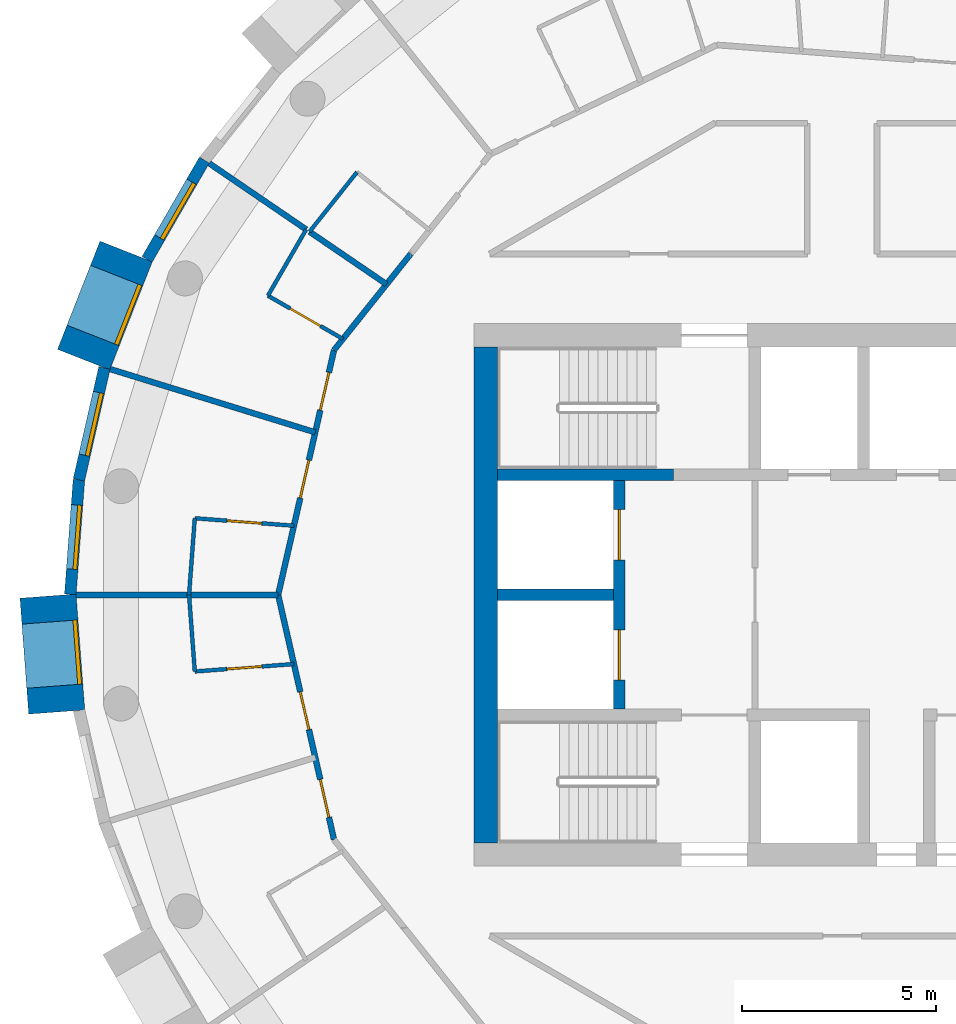
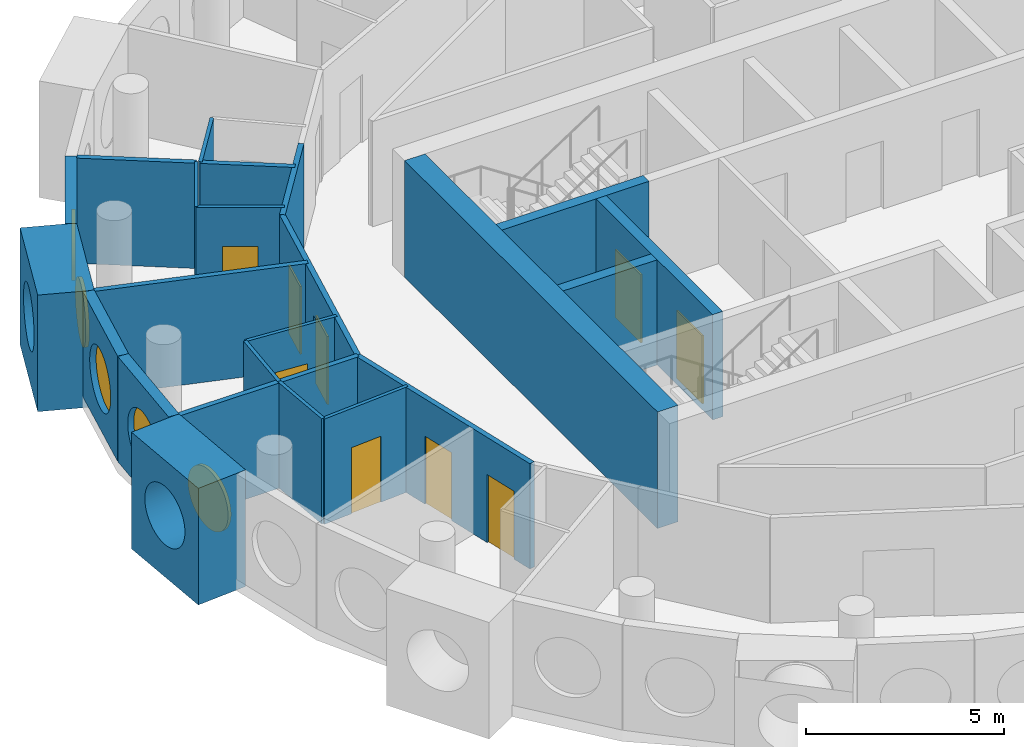
# One storey, part 5 of 12: 23 walls, 9 doors, 5 windows, 14 openings.
"""IFC4 building model written with IfcOpenShell, lengths in metres."""

from ifc_helpers import new_model, si_unit, direction, frame, frame_2d, origin, origin_2d, place, context, subcontext, project, spatial, rectangle, circle, extrude, material, layer, layer_set, type_object, element, fill, save


model = new_model("IFC4")

# Units and contexts
model_context = context("Model", 3, precision=1e-05, world=origin(), true_north=direction((0.0, 1.0)))
body_context = subcontext(model_context, "Body", "Model", "MODEL_VIEW")
ifc_project = project(units=[si_unit("LENGTHUNIT", "METRE"), si_unit("AREAUNIT", "SQUARE_METRE"), si_unit("VOLUMEUNIT", "CUBIC_METRE"), si_unit("PLANEANGLEUNIT", "RADIAN"), si_unit("MASSUNIT", "GRAM", prefix="KILO")], contexts=[model_context])

# Site, building, storey
site_placement = place(None, origin())
site = spatial("IfcSite", under=ifc_project, at=site_placement, CompositionType="ELEMENT")
building_placement = place(site_placement, origin())
building = spatial("IfcBuilding", under=site, at=building_placement, Name="Tracery Tower", CompositionType="ELEMENT")
storey_placement = place(building_placement, frame((0.0, 0.0, 312.60009765625)))
storey = spatial("IfcBuildingStorey", under=building, at=storey_placement, Name="L81", CompositionType="ELEMENT", Elevation=312.60009765625)

# Wall
ifc_material_1 = material(Name="Concrete C40/50", Category="concrete")
ifc_layer_1 = layer(ifc_material_1, 0.60009765625)
ifc_layer_set_1 = layer_set([ifc_layer_1], Name="Core wall 600 C40")
wall_type_1 = type_object("IfcWallType", Name="Core wall 600 C40", PredefinedType="SOLIDWALL", material=ifc_layer_set_1)
wall_1_placement = place(storey_placement, frame((-9.199951171875, -6.39990234375, 0.0), z_axis=(0.0, 0.0, 1.0), x_axis=(0.0, 1.0, 0.0)))
element("IfcWall", 1, at=wall_1_placement, inside=storey, type_object=wall_type_1, Name="L81 outer W", PredefinedType="SOLIDWALL", context=body_context, shape_type="SweptSolid", body=[
    extrude(rectangle(XDim=12.7998046875, YDim=0.60009765625, at=frame_2d((6.39990234375, 0.0))), origin(), (0.0, 0.0, 1.0), 3.599853515625),
])

# Wall, opening, window
ifc_material_2 = material(Name="Precast concrete C50/60", Category="concrete")
ifc_layer_2 = layer(ifc_material_2, 1.449951171875)
ifc_layer_set_2 = layer_set([ifc_layer_2], Name="Deep-set bay unit 3000 x 3600, slab edge 350")
wall_type_2 = type_object("IfcWallType", Name="Deep-set bay unit 3000 x 3600, slab edge 350", PredefinedType="ELEMENTEDWALL", material=ifc_layer_set_2)
wall_2_placement = place(storey_placement, frame((-18.47998046875, 8.8642578125, -0.35009765625), z_axis=(0.0, 0.0, 1.0), x_axis=(-0.36537792632, -0.93085926485, 0.0)))
wall_2 = element("IfcWall", 2, at=wall_2_placement, inside=storey, type_object=wall_type_2, Name="Deep-set bay unit 19 at L81", PredefinedType="ELEMENTEDWALL", context=body_context, shape_type="SweptSolid", body=[
    extrude(rectangle(XDim=3.000244140625, YDim=1.449951171875, at=frame_2d((1.5, 0.0))), origin(), (0.0, 0.0, 1.0), 3.60009765625),
])
opening_1_placement = place(wall_2_placement, frame((1.5, 0.0, 1.89990234375)))
opening_1 = element("IfcOpeningElement", 3, at=opening_1_placement, cuts=wall_2, Name="Opening WN1", PredefinedType="OPENING", context=body_context, shape_type="SweptSolid", body=[
    extrude(circle(Radius=0.9000244140625, at=origin_2d()), frame((0.0, 0.73486328125, 0.0), z_axis=(0.0, -1.0, 0.0), x_axis=(1.0, 0.0, 0.0)), (0.0, 0.0, 1.0), 1.469970703125),
])
ifc_material_3 = material(Name="Aluminium frame with tinted double glazing", Category="aluminium")
window_type = type_object("IfcWindowType", Name="Round window 1800", PartitioningType="SINGLE_PANEL", PredefinedType="WINDOW", material=ifc_material_3)
window_1_placement = place(opening_1_placement, origin())
window_1 = element("IfcWindow", 4, at=window_1_placement, inside=storey, type_object=window_type, Name="Round window 19 at L81", OverallHeight=1.800048828125, OverallWidth=1.800048828125, PartitioningType="SINGLE_PANEL", PredefinedType="WINDOW", context=body_context, shape_type="SweptSolid", body=[
    extrude(circle(Radius=0.9000244140625, at=origin_2d()), frame((0.0, 0.69482421875, 0.0), z_axis=(0.0, -1.0, 0.0), x_axis=(1.0, 0.0, 0.0)), (0.0, 0.0, 1.0), 0.10009765625),
])
fill(opening_1, window_1)

wall_3_placement = place(storey_placement, frame((-20.49609375, -0.03173828125, -0.35009765625), z_axis=(0.0, 0.0, 1.0), x_axis=(0.074785902127, -0.997199613339, 0.0)))
wall_3 = element("IfcWall", 5, at=wall_3_placement, inside=storey, type_object=wall_type_2, Name="Deep-set bay unit 22 at L81", PredefinedType="ELEMENTEDWALL", context=body_context, shape_type="SweptSolid", body=[
    extrude(rectangle(XDim=3.0, YDim=1.449951171875, at=frame_2d((1.5, 0.0))), origin(), (0.0, 0.0, 1.0), 3.60009765625),
])
opening_2_placement = place(wall_3_placement, frame((1.5, 0.0, 1.89990234375)))
opening_2 = element("IfcOpeningElement", 6, at=opening_2_placement, cuts=wall_3, Name="Opening WN1", PredefinedType="OPENING", context=body_context, shape_type="SweptSolid", body=[
    extrude(circle(Radius=0.9000244140625, at=origin_2d()), frame((0.0, 0.73486328125, 0.0), z_axis=(0.0, -1.0, 0.0), x_axis=(1.0, 0.0, 0.0)), (0.0, 0.0, 1.0), 1.469970703125),
])
window_2_placement = place(opening_2_placement, origin())
window_2 = element("IfcWindow", 7, at=window_2_placement, inside=storey, type_object=window_type, Name="Round window 22 at L81", OverallHeight=1.800048828125, OverallWidth=1.800048828125, PartitioningType="SINGLE_PANEL", PredefinedType="WINDOW", context=body_context, shape_type="SweptSolid", body=[
    extrude(circle(Radius=0.9000244140625, at=origin_2d()), frame((0.0, 0.69482421875, 0.0), z_axis=(0.0, -1.0, 0.0), x_axis=(1.0, 0.0, 0.0)), (0.0, 0.0, 1.0), 0.10009765625),
])
fill(opening_2, window_2)

ifc_material_4 = material(Name="Precast concrete C50/60", Category="concrete")
ifc_layer_3 = layer(ifc_material_4, 0.300048828125)
ifc_layer_set_3 = layer_set([ifc_layer_3], Name="Facade panel 3000 x 3250")
wall_type_3 = type_object("IfcWallType", Name="Facade panel 3000 x 3250", PredefinedType="SOLIDWALL", material=ifc_layer_set_3)
wall_4_placement = place(storey_placement, frame((-16.460205078125, 11.222412109375, 0.0), z_axis=(0.0, 0.0, 1.0), x_axis=(-0.499950756475, -0.86605383268, 0.0)))
wall_4 = element("IfcWall", 8, at=wall_4_placement, inside=storey, type_object=wall_type_3, Name="Facade panel 18 at L81", PredefinedType="SOLIDWALL", context=body_context, shape_type="SweptSolid", body=[
    extrude(rectangle(XDim=2.962158203125, YDim=0.300048828125, at=frame_2d((1.48095703125, 0.0))), origin(), (0.0, 0.0, 1.0), 3.25),
])
opening_3_placement = place(wall_4_placement, frame((1.48095703125, 0.0, 1.5498046875)))
opening_3 = element("IfcOpeningElement", 9, at=opening_3_placement, cuts=wall_4, Name="Opening WN1", PredefinedType="OPENING", context=body_context, shape_type="SweptSolid", body=[
    extrude(circle(Radius=0.9000244140625, at=origin_2d()), frame((0.0, 0.159912109375, 0.0), z_axis=(0.0, -1.0, 0.0), x_axis=(1.0, 0.0, 0.0)), (0.0, 0.0, 1.0), 0.320068359375),
])
window_3_placement = place(opening_3_placement, origin())
window_3 = element("IfcWindow", 10, at=window_3_placement, inside=storey, type_object=window_type, Name="Round window 18 at L81", OverallHeight=1.800048828125, OverallWidth=1.800048828125, PartitioningType="SINGLE_PANEL", PredefinedType="WINDOW", context=body_context, shape_type="SweptSolid", body=[
    extrude(circle(Radius=0.9000244140625, at=origin_2d()), frame((0.0, 0.1201171875, 0.0), z_axis=(0.0, -1.0, 0.0), x_axis=(1.0, 0.0, 0.0)), (0.0, 0.0, 1.0), 0.10009765625),
])
fill(opening_3, window_3)

wall_5_placement = place(storey_placement, frame((-19.0400390625, 5.857177734375, 0.0), z_axis=(0.0, 0.0, 1.0), x_axis=(-0.222529389789, -0.974925982155, 0.0)))
wall_5 = element("IfcWall", 11, at=wall_5_placement, inside=storey, type_object=wall_type_3, Name="Facade panel 20 at L81", PredefinedType="SOLIDWALL", context=body_context, shape_type="SweptSolid", body=[
    extrude(rectangle(XDim=2.962158203125, YDim=0.300048828125, at=frame_2d((1.48095703125, 0.0))), origin(), (0.0, 0.0, 1.0), 3.25),
])
opening_4_placement = place(wall_5_placement, frame((1.48095703125, 0.0, 1.5498046875)))
opening_4 = element("IfcOpeningElement", 12, at=opening_4_placement, cuts=wall_5, Name="Opening WN1", PredefinedType="OPENING", context=body_context, shape_type="SweptSolid", body=[
    extrude(circle(Radius=0.9000244140625, at=origin_2d()), frame((0.0, 0.159912109375, 0.0), z_axis=(0.0, -1.0, 0.0), x_axis=(1.0, 0.0, 0.0)), (0.0, 0.0, 1.0), 0.320068359375),
])
window_4_placement = place(opening_4_placement, origin())
window_4 = element("IfcWindow", 13, at=window_4_placement, inside=storey, type_object=window_type, Name="Round window 20 at L81", OverallHeight=1.800048828125, OverallWidth=1.800048828125, PartitioningType="SINGLE_PANEL", PredefinedType="WINDOW", context=body_context, shape_type="SweptSolid", body=[
    extrude(circle(Radius=0.9000244140625, at=origin_2d()), frame((0.0, 0.1201171875, 0.0), z_axis=(0.0, -1.0, 0.0), x_axis=(1.0, 0.0, 0.0)), (0.0, 0.0, 1.0), 0.10009765625),
])
fill(opening_4, window_4)

wall_6_placement = place(storey_placement, frame((-19.69921875, 2.96923828125, 0.0), z_axis=(0.0, 0.0, 1.0), x_axis=(-0.07474897196, -0.997202382263, 0.0)))
wall_6 = element("IfcWall", 14, at=wall_6_placement, inside=storey, type_object=wall_type_3, Name="Facade panel 21 at L81", PredefinedType="SOLIDWALL", context=body_context, shape_type="SweptSolid", body=[
    extrude(rectangle(XDim=2.96240234375, YDim=0.300048828125, at=frame_2d((1.481201171875, 0.0))), origin(), (0.0, 0.0, 1.0), 3.25),
])
opening_5_placement = place(wall_6_placement, frame((1.48095703125, 0.0, 1.5498046875)))
opening_5 = element("IfcOpeningElement", 15, at=opening_5_placement, cuts=wall_6, Name="Opening WN1", PredefinedType="OPENING", context=body_context, shape_type="SweptSolid", body=[
    extrude(circle(Radius=0.9000244140625, at=origin_2d()), frame((0.0, 0.159912109375, 0.0), z_axis=(0.0, -1.0, 0.0), x_axis=(1.0, 0.0, 0.0)), (0.0, 0.0, 1.0), 0.320068359375),
])
window_5_placement = place(opening_5_placement, origin())
window_5 = element("IfcWindow", 16, at=window_5_placement, inside=storey, type_object=window_type, Name="Round window 21 at L81", OverallHeight=1.800048828125, OverallWidth=1.800048828125, PartitioningType="SINGLE_PANEL", PredefinedType="WINDOW", context=body_context, shape_type="SweptSolid", body=[
    extrude(circle(Radius=0.9000244140625, at=origin_2d()), frame((0.0, 0.1201171875, 0.0), z_axis=(0.0, -1.0, 0.0), x_axis=(1.0, 0.0, 0.0)), (0.0, 0.0, 1.0), 0.10009765625),
])
fill(opening_5, window_5)

# Walls
ifc_material_5 = material(Name="Plasterboard on steel studs", Category="steel")
ifc_layer_4 = layer(ifc_material_5, 0.10009765625)
ifc_layer_set_4 = layer_set([ifc_layer_4], Name="Partition 100 wet wall")
wall_type_4 = type_object("IfcWallType", Name="Partition 100 wet wall", PredefinedType="PARTITIONING", material=ifc_layer_set_4)
wall_7_placement = place(storey_placement, frame((-13.7470703125, 9.373046875, 0.0), z_axis=(0.0, 0.0, 1.0), x_axis=(0.623330716607, 0.781958322249, 0.0)))
element("IfcWall", 17, at=wall_7_placement, inside=storey, type_object=wall_type_4, Name="Wet wall RC8-070", PredefinedType="PARTITIONING", context=body_context, shape_type="SweptSolid", body=[
    extrude(rectangle(XDim=1.96533203125, YDim=0.10009765625, at=frame_2d((0.982666015625, 0.0))), origin(), (0.0, 0.0, 1.0), 3.25),
])
wall_8_placement = place(storey_placement, frame((-14.820068359375, 7.721923828125, 0.0), z_axis=(0.0, 0.0, 1.0), x_axis=(0.500143626598, 0.865942465048, 0.0)))
element("IfcWall", 18, at=wall_8_placement, inside=storey, type_object=wall_type_4, Name="Wet wall RC8-073", PredefinedType="PARTITIONING", context=body_context, shape_type="SweptSolid", body=[
    extrude(rectangle(XDim=1.9736328125, YDim=0.10009765625, at=frame_2d((0.98681640625, 0.0))), origin(), (0.0, 0.0, 1.0), 3.25),
])

# Wall, opening, door
wall_9_placement = place(storey_placement, frame((-14.820068359375, 7.721923828125, 0.0), z_axis=(0.0, 0.0, 1.0), x_axis=(0.866076416361, -0.499911633214, 0.0)))
wall_9 = element("IfcWall", 19, at=wall_9_placement, inside=storey, type_object=wall_type_4, Name="Wet wall RC8-074", PredefinedType="PARTITIONING", context=body_context, shape_type="SweptSolid", body=[
    extrude(rectangle(XDim=2.234375, YDim=0.10009765625, at=frame_2d((1.1171875, 0.0))), origin(), (0.0, 0.0, 1.0), 3.25),
])
opening_6_placement = place(wall_9_placement, frame((0.6669921875, 0.0, 0.0)))
opening_6 = element("IfcOpeningElement", 20, at=opening_6_placement, cuts=wall_9, Name="Opening RC8-21", PredefinedType="OPENING", context=body_context, shape_type="SweptSolid", body=[
    extrude(rectangle(XDim=0.89990234375, YDim=2.0400390625, at=frame_2d((0.449951171875, 1.02001953125))), frame((0.0, 0.050048828125, 0.0), z_axis=(0.0, -1.0, 0.0), x_axis=(1.0, 0.0, 0.0)), (0.0, 0.0, 1.0), 0.10009765625),
])
ifc_material_6 = material(Name="Timber door leaf", Category="wood")
door_type_1 = type_object("IfcDoorType", Name="Door en-suite 900", OperationType="NOTDEFINED", PredefinedType="DOOR", material=ifc_material_6)
door_1_placement = place(opening_6_placement, origin())
door_1 = element("IfcDoor", 21, at=door_1_placement, inside=storey, type_object=door_type_1, Name="En-suite door RC8-21", OperationType="SINGLE_SWING_LEFT", OverallHeight=2.0400390625, OverallWidth=0.89990234375, PredefinedType="DOOR", context=body_context, shape_type="SweptSolid", body=[
    extrude(rectangle(XDim=0.89990234375, YDim=2.0400390625, at=frame_2d((0.449951171875, 1.02001953125))), frame((0.0, 0.02490234375, 0.0), z_axis=(0.0, -1.0, 0.0), x_axis=(1.0, 0.0, 0.0)), (0.0, 0.0, 1.0), 0.050048828125),
])
fill(opening_6, door_1)

wall_10_placement = place(storey_placement, frame((-16.7080078125, 1.97705078125, 0.0), z_axis=(0.0, 0.0, 1.0), x_axis=(0.997193275785, -0.074870359477, 0.0)))
wall_10 = element("IfcWall", 22, at=wall_10_placement, inside=storey, type_object=wall_type_4, Name="Wet wall RC8-076", PredefinedType="PARTITIONING", context=body_context, shape_type="SweptSolid", body=[
    extrude(rectangle(XDim=2.56640625, YDim=0.10009765625, at=frame_2d((1.283203125, 0.0))), origin(), (0.0, 0.0, 1.0), 3.25),
])
opening_7_placement = place(wall_10_placement, frame((0.833251953125, 0.0, 0.0)))
opening_7 = element("IfcOpeningElement", 23, at=opening_7_placement, cuts=wall_10, Name="Opening RC8-23", PredefinedType="OPENING", context=body_context, shape_type="SweptSolid", body=[
    extrude(rectangle(XDim=0.89990234375, YDim=2.0400390625, at=frame_2d((0.449951171875, 1.02001953125))), frame((0.0, 0.050048828125, 0.0), z_axis=(0.0, -1.0, 0.0), x_axis=(1.0, 0.0, 0.0)), (0.0, 0.0, 1.0), 0.10009765625),
])
door_2_placement = place(opening_7_placement, origin())
door_2 = element("IfcDoor", 24, at=door_2_placement, inside=storey, type_object=door_type_1, Name="En-suite door RC8-23", OperationType="SINGLE_SWING_LEFT", OverallHeight=2.0400390625, OverallWidth=0.89990234375, PredefinedType="DOOR", context=body_context, shape_type="SweptSolid", body=[
    extrude(rectangle(XDim=0.89990234375, YDim=2.0400390625, at=frame_2d((0.449951171875, 1.02001953125))), frame((0.0, 0.02490234375, 0.0), z_axis=(0.0, -1.0, 0.0), x_axis=(1.0, 0.0, 0.0)), (0.0, 0.0, 1.0), 0.050048828125),
])
fill(opening_7, door_2)

# Walls
for number, where, z_axis, x_axis, name in (
    (25, (-16.85595703125, 0.0, 0.0), (0.0, 0.0, 1.0), (0.074624634103, 0.997211694669, 0.0), "Wet wall RC8-077"),
    (26, (-16.85595703125, 0.0, 0.0), (0.0, 0.0, 1.0), (0.074624634103, -0.997211694669, 0.0), "Wet wall RC8-079"),
):
    element("IfcWall", number, at=place(storey_placement, frame(where, z_axis=z_axis, x_axis=x_axis)), inside=storey, type_object=wall_type_4, Name=name, PredefinedType="PARTITIONING", context=body_context, shape_type="SweptSolid", body=[
        extrude(rectangle(XDim=1.982666015625, YDim=0.10009765625, at=frame_2d((0.9912109375, 0.0))), origin(), (0.0, 0.0, 1.0), 3.25),
    ])

# Wall, opening, door
wall_11_placement = place(storey_placement, frame((-16.7080078125, -1.97705078125, 0.0), z_axis=(0.0, 0.0, 1.0), x_axis=(0.997193275785, 0.074870359477, 0.0)))
wall_11 = element("IfcWall", 27, at=wall_11_placement, inside=storey, type_object=wall_type_4, Name="Wet wall RC8-080", PredefinedType="PARTITIONING", context=body_context, shape_type="SweptSolid", body=[
    extrude(rectangle(XDim=2.56640625, YDim=0.10009765625, at=frame_2d((1.283203125, 0.0))), origin(), (0.0, 0.0, 1.0), 3.25),
])
opening_8_placement = place(wall_11_placement, frame((0.8330078125, 0.0, 0.0)))
opening_8 = element("IfcOpeningElement", 28, at=opening_8_placement, cuts=wall_11, Name="Opening RC8-25", PredefinedType="OPENING", context=body_context, shape_type="SweptSolid", body=[
    extrude(rectangle(XDim=0.89990234375, YDim=2.0400390625, at=frame_2d((0.449951171875, 1.02001953125))), frame((0.0, 0.050048828125, 0.0), z_axis=(0.0, -1.0, 0.0), x_axis=(1.0, 0.0, 0.0)), (0.0, 0.0, 1.0), 0.10009765625),
])
door_3_placement = place(opening_8_placement, origin())
door_3 = element("IfcDoor", 29, at=door_3_placement, inside=storey, type_object=door_type_1, Name="En-suite door RC8-25", OperationType="SINGLE_SWING_LEFT", OverallHeight=2.0400390625, OverallWidth=0.89990234375, PredefinedType="DOOR", context=body_context, shape_type="SweptSolid", body=[
    extrude(rectangle(XDim=0.89990234375, YDim=2.0400390625, at=frame_2d((0.449951171875, 1.02001953125))), frame((0.0, 0.02490234375, 0.0), z_axis=(0.0, -1.0, 0.0), x_axis=(1.0, 0.0, 0.0)), (0.0, 0.0, 1.0), 0.050048828125),
])
fill(opening_8, door_3)

# Walls
ifc_material_7 = material(Name="Plasterboard on steel studs", Category="steel")
ifc_layer_5 = layer(ifc_material_7, 0.14990234375)
ifc_layer_set_5 = layer_set([ifc_layer_5], Name="Partition 150 acoustic unit wall")
wall_type_5 = type_object("IfcWallType", Name="Partition 150 acoustic unit wall", PredefinedType="PARTITIONING", material=ifc_layer_set_5)
wall_12_placement = place(storey_placement, frame((-16.3359375, 11.137939453125, 0.0), z_axis=(0.0, 0.0, 1.0), x_axis=(0.826159220299, -0.563436724678, 0.0)))
element("IfcWall", 30, at=wall_12_placement, inside=storey, type_object=wall_type_5, Name="Unit wall RC8-071", PredefinedType="PARTITIONING", context=body_context, shape_type="SweptSolid", body=[
    extrude(rectangle(XDim=3.033203125, YDim=0.14990234375, at=frame_2d((1.5166015625, 0.0))), origin(), (0.0, 0.0, 1.0), 3.25),
])
wall_13_placement = place(storey_placement, frame((-13.7470703125, 9.373046875, 0.0), z_axis=(0.0, 0.0, 1.0), x_axis=(0.826135036312, -0.563472183677, 0.0)))
element("IfcWall", 31, at=wall_13_placement, inside=storey, type_object=wall_type_5, Name="Unit wall RC8-072", PredefinedType="PARTITIONING", context=body_context, shape_type="SweptSolid", body=[
    extrude(rectangle(XDim=2.406494140625, YDim=0.14990234375, at=frame_2d((1.203125, 0.0))), origin(), (0.0, 0.0, 1.0), 3.25),
])
wall_14_placement = place(storey_placement, frame((-18.89306640625, 5.827880859375, 0.0), z_axis=(0.0, 0.0, 1.0), x_axis=(0.955580602693, -0.294729896274, 0.0)))
element("IfcWall", 32, at=wall_14_placement, inside=storey, type_object=wall_type_5, Name="Unit wall RC8-075", PredefinedType="PARTITIONING", context=body_context, shape_type="SweptSolid", body=[
    extrude(rectangle(XDim=5.5400390625, YDim=0.14990234375, at=frame_2d((2.77001953125, 0.0))), origin(), (0.0, 0.0, 1.0), 3.25),
])
wall_15_placement = place(storey_placement, frame((-19.77099609375, 0.0, 0.0), z_axis=(0.0, 0.0, 1.0), x_axis=(1.0, 0.0, 0.0)))
element("IfcWall", 33, at=wall_15_placement, inside=storey, type_object=wall_type_5, Name="Unit wall RC8-078", PredefinedType="PARTITIONING", context=body_context, shape_type="SweptSolid", body=[
    extrude(rectangle(XDim=5.214111328125, YDim=0.14990234375, at=frame_2d((2.60693359375, 0.0))), origin(), (0.0, 0.0, 1.0), 3.25),
])
ifc_material_8 = material(Name="Plasterboard on steel studs", Category="steel")
ifc_layer_6 = layer(ifc_material_8, 0.14990234375)
ifc_layer_set_6 = layer_set([ifc_layer_6], Name="Partition 150 corridor wall")
wall_type_6 = type_object("IfcWallType", Name="Partition 150 corridor wall", PredefinedType="PARTITIONING", material=ifc_layer_set_6)
wall_16_placement = place(storey_placement, frame((-13.115234375, 6.316162109375, 0.0), z_axis=(0.0, 0.0, 1.0), x_axis=(0.623560523309, 0.781775078761, 0.0)))
element("IfcWall", 34, at=wall_16_placement, inside=storey, type_object=wall_type_6, Name="Corridor wall RC8-033", PredefinedType="PARTITIONING", context=body_context, shape_type="SweptSolid", body=[
    extrude(rectangle(XDim=3.17724609375, YDim=0.14990234375, at=frame_2d((1.588623046875, 0.0))), origin(), (0.0, 0.0, 1.0), 3.25),
])

# Wall, openings, doors
wall_17_placement = place(storey_placement, frame((-14.556640625, 0.0, 0.0), z_axis=(0.0, 0.0, 1.0), x_axis=(0.222533159771, 0.974925121639, 0.0)))
wall_17 = element("IfcWall", 35, at=wall_17_placement, inside=storey, type_object=wall_type_6, Name="Corridor wall RC8-034", PredefinedType="PARTITIONING", context=body_context, shape_type="SweptSolid", body=[
    extrude(rectangle(XDim=6.478271484375, YDim=0.14990234375, at=frame_2d((3.2392578125, 0.0))), origin(), (0.0, 0.0, 1.0), 3.25),
])
opening_9_placement = place(wall_17_placement, frame((4.888916015625, 0.0, 0.0)))
opening_9 = element("IfcOpeningElement", 36, at=opening_9_placement, cuts=wall_17, Name="Opening RC8-22", PredefinedType="OPENING", context=body_context, shape_type="SweptSolid", body=[
    extrude(rectangle(XDim=1.0, YDim=2.10009765625, at=frame_2d((0.5, 1.050048828125))), frame((0.0, 0.074951171875, 0.0), z_axis=(0.0, -1.0, 0.0), x_axis=(1.0, 0.0, 0.0)), (0.0, 0.0, 1.0), 0.14990234375),
])
opening_10_placement = place(wall_17_placement, frame((2.56689453125, 0.0, 0.0)))
opening_10 = element("IfcOpeningElement", 37, at=opening_10_placement, cuts=wall_17, Name="Opening RC8-24", PredefinedType="OPENING", context=body_context, shape_type="SweptSolid", body=[
    extrude(rectangle(XDim=1.0, YDim=2.10009765625, at=frame_2d((0.5, 1.050048828125))), frame((0.0, 0.074951171875, 0.0), z_axis=(0.0, -1.0, 0.0), x_axis=(1.0, 0.0, 0.0)), (0.0, 0.0, 1.0), 0.14990234375),
])
ifc_material_9 = material(Name="Timber door leaf", Category="wood")
door_type_2 = type_object("IfcDoorType", Name="Door unit entrance 1000", OperationType="NOTDEFINED", PredefinedType="DOOR", material=ifc_material_9)
door_4_placement = place(opening_9_placement, origin())
door_4 = element("IfcDoor", 38, at=door_4_placement, inside=storey, type_object=door_type_2, Name="Unit entrance door RC8-22", OperationType="SINGLE_SWING_RIGHT", OverallHeight=2.10009765625, OverallWidth=1.0, PredefinedType="DOOR", context=body_context, shape_type="SweptSolid", body=[
    extrude(rectangle(XDim=1.0, YDim=2.10009765625, at=frame_2d((0.5, 1.050048828125))), frame((0.0, 0.02490234375, 0.0), z_axis=(0.0, -1.0, 0.0), x_axis=(1.0, 0.0, 0.0)), (0.0, 0.0, 1.0), 0.050048828125),
])
fill(opening_9, door_4)
door_5_placement = place(opening_10_placement, origin())
door_5 = element("IfcDoor", 39, at=door_5_placement, inside=storey, type_object=door_type_2, Name="Unit entrance door RC8-24", OperationType="SINGLE_SWING_LEFT", OverallHeight=2.10009765625, OverallWidth=1.0, PredefinedType="DOOR", context=body_context, shape_type="SweptSolid", body=[
    extrude(rectangle(XDim=1.0, YDim=2.10009765625, at=frame_2d((0.5, 1.050048828125))), frame((0.0, 0.02490234375, 0.0), z_axis=(0.0, -1.0, 0.0), x_axis=(1.0, 0.0, 0.0)), (0.0, 0.0, 1.0), 0.050048828125),
])
fill(opening_10, door_5)

wall_18_placement = place(storey_placement, frame((-14.556640625, 0.0, 0.0), z_axis=(0.0, 0.0, 1.0), x_axis=(0.222568978642, -0.97491694505, 0.0)))
wall_18 = element("IfcWall", 40, at=wall_18_placement, inside=storey, type_object=wall_type_6, Name="Corridor wall RC8-035", PredefinedType="PARTITIONING", context=body_context, shape_type="SweptSolid", body=[
    extrude(rectangle(XDim=6.478515625, YDim=0.14990234375, at=frame_2d((3.2392578125, 0.0))), origin(), (0.0, 0.0, 1.0), 3.25),
])
opening_11_placement = place(wall_18_placement, frame((2.567138671875, 0.0, 0.0)))
opening_11 = element("IfcOpeningElement", 41, at=opening_11_placement, cuts=wall_18, Name="Opening RC8-26", PredefinedType="OPENING", context=body_context, shape_type="SweptSolid", body=[
    extrude(rectangle(XDim=1.0, YDim=2.10009765625, at=frame_2d((0.5, 1.050048828125))), frame((0.0, 0.074951171875, 0.0), z_axis=(0.0, -1.0, 0.0), x_axis=(1.0, 0.0, 0.0)), (0.0, 0.0, 1.0), 0.14990234375),
])
opening_12_placement = place(wall_18_placement, frame((4.888427734375, 0.0, 0.0)))
opening_12 = element("IfcOpeningElement", 42, at=opening_12_placement, cuts=wall_18, Name="Opening RC8-28", PredefinedType="OPENING", context=body_context, shape_type="SweptSolid", body=[
    extrude(rectangle(XDim=1.0, YDim=2.10009765625, at=frame_2d((0.5, 1.050048828125))), frame((0.0, 0.074951171875, 0.0), z_axis=(0.0, -1.0, 0.0), x_axis=(1.0, 0.0, 0.0)), (0.0, 0.0, 1.0), 0.14990234375),
])
door_6_placement = place(opening_11_placement, origin())
door_6 = element("IfcDoor", 43, at=door_6_placement, inside=storey, type_object=door_type_2, Name="Unit entrance door RC8-26", OperationType="SINGLE_SWING_LEFT", OverallHeight=2.10009765625, OverallWidth=1.0, PredefinedType="DOOR", context=body_context, shape_type="SweptSolid", body=[
    extrude(rectangle(XDim=1.0, YDim=2.10009765625, at=frame_2d((0.5, 1.050048828125))), frame((0.0, 0.02490234375, 0.0), z_axis=(0.0, -1.0, 0.0), x_axis=(1.0, 0.0, 0.0)), (0.0, 0.0, 1.0), 0.050048828125),
])
fill(opening_11, door_6)
door_7_placement = place(opening_12_placement, origin())
door_7 = element("IfcDoor", 44, at=door_7_placement, inside=storey, type_object=door_type_2, Name="Unit entrance door RC8-28", OperationType="SINGLE_SWING_RIGHT", OverallHeight=2.10009765625, OverallWidth=1.0, PredefinedType="DOOR", context=body_context, shape_type="SweptSolid", body=[
    extrude(rectangle(XDim=1.0, YDim=2.10009765625, at=frame_2d((0.5, 1.050048828125))), frame((0.0, 0.02490234375, 0.0), z_axis=(0.0, -1.0, 0.0), x_axis=(1.0, 0.0, 0.0)), (0.0, 0.0, 1.0), 0.050048828125),
])
fill(opening_12, door_7)

# Wall
ifc_material_10 = material(Name="Concrete C40/50", Category="concrete")
ifc_layer_7 = layer(ifc_material_10, 0.300048828125)
ifc_layer_set_7 = layer_set([ifc_layer_7], Name="Shaft wall 300 C40")
wall_type_7 = type_object("IfcWallType", Name="Shaft wall 300 C40", PredefinedType="SOLIDWALL", material=ifc_layer_set_7)
wall_19_placement = place(storey_placement, frame((-8.89990234375, 0.0, 0.0), z_axis=(0.0, 0.0, 1.0), x_axis=(1.0, 0.0, 0.0)))
element("IfcWall", 45, at=wall_19_placement, inside=storey, type_object=wall_type_7, Name="L81 FF split", PredefinedType="SOLIDWALL", context=body_context, shape_type="SweptSolid", body=[
    extrude(rectangle(XDim=3.0, YDim=0.300048828125, at=frame_2d((1.5, 0.0))), origin(), (0.0, 0.0, 1.0), 3.25),
])

# Wall, openings, doors
wall_20_placement = place(storey_placement, frame((-5.75, -2.949951171875, 0.0), z_axis=(0.0, 0.0, 1.0), x_axis=(0.0, 1.0, 0.0)))
wall_20 = element("IfcWall", 46, at=wall_20_placement, inside=storey, type_object=wall_type_7, Name="L81 FF doors", PredefinedType="SOLIDWALL", context=body_context, shape_type="SweptSolid", body=[
    extrude(rectangle(XDim=5.89990234375, YDim=0.300048828125, at=frame_2d((2.949951171875, 0.0))), origin(), (0.0, 0.0, 1.0), 3.25),
])
opening_13_placement = place(wall_20_placement, frame((0.75, 0.0, 0.0)))
opening_13 = element("IfcOpeningElement", 47, at=opening_13_placement, cuts=wall_20, Name="Opening KD54", PredefinedType="OPENING", context=body_context, shape_type="SweptSolid", body=[
    extrude(rectangle(XDim=1.300048828125, YDim=2.10009765625, at=frame_2d((0.64990234375, 1.050048828125))), frame((0.0, 0.14990234375, 0.0), z_axis=(0.0, -1.0, 0.0), x_axis=(1.0, 0.0, 0.0)), (0.0, 0.0, 1.0), 0.300048828125),
])
opening_14_placement = place(wall_20_placement, frame((3.85009765625, 0.0, 0.0)))
opening_14 = element("IfcOpeningElement", 48, at=opening_14_placement, cuts=wall_20, Name="Opening KD55", PredefinedType="OPENING", context=body_context, shape_type="SweptSolid", body=[
    extrude(rectangle(XDim=1.300048828125, YDim=2.10009765625, at=frame_2d((0.64990234375, 1.050048828125))), frame((0.0, 0.14990234375, 0.0), z_axis=(0.0, -1.0, 0.0), x_axis=(1.0, 0.0, 0.0)), (0.0, 0.0, 1.0), 0.300048828125),
])
ifc_material_11 = material(Name="Steel fire door", Category="steel")
door_type_3 = type_object("IfcDoorType", Name="Landing door FF 1300", OperationType="NOTDEFINED", PredefinedType="DOOR", material=ifc_material_11)
door_8_placement = place(opening_13_placement, origin())
door_8 = element("IfcDoor", 49, at=door_8_placement, inside=storey, type_object=door_type_3, Name="Landing door FF1", OperationType="SLIDING_TO_LEFT", OverallHeight=2.10009765625, OverallWidth=1.300048828125, PredefinedType="DOOR", context=body_context, shape_type="SweptSolid", body=[
    extrude(rectangle(XDim=1.300048828125, YDim=2.10009765625, at=frame_2d((0.64990234375, 1.050048828125))), frame((0.0, 0.02490234375, 0.0), z_axis=(0.0, -1.0, 0.0), x_axis=(1.0, 0.0, 0.0)), (0.0, 0.0, 1.0), 0.050048828125),
])
fill(opening_13, door_8)
door_9_placement = place(opening_14_placement, origin())
door_9 = element("IfcDoor", 50, at=door_9_placement, inside=storey, type_object=door_type_3, Name="Landing door FF2", OperationType="SLIDING_TO_RIGHT", OverallHeight=2.10009765625, OverallWidth=1.300048828125, PredefinedType="DOOR", context=body_context, shape_type="SweptSolid", body=[
    extrude(rectangle(XDim=1.300048828125, YDim=2.10009765625, at=frame_2d((0.64990234375, 1.050048828125))), frame((0.0, 0.02490234375, 0.0), z_axis=(0.0, -1.0, 0.0), x_axis=(1.0, 0.0, 0.0)), (0.0, 0.0, 1.0), 0.050048828125),
])
fill(opening_14, door_9)

# Wall
ifc_material_12 = material(Name="Concrete C40/50", Category="concrete")
ifc_layer_8 = layer(ifc_material_12, 0.300048828125)
ifc_layer_set_8 = layer_set([ifc_layer_8], Name="Stair wall 300 C40")
wall_type_8 = type_object("IfcWallType", Name="Stair wall 300 C40", PredefinedType="SOLIDWALL", material=ifc_layer_set_8)
wall_21_placement = place(storey_placement, frame((-8.89990234375, 3.10009765625, 0.0), z_axis=(0.0, 0.0, 1.0), x_axis=(1.0, 0.0, 0.0)))
element("IfcWall", 51, at=wall_21_placement, inside=storey, type_object=wall_type_8, Name="L81 row N W", PredefinedType="SOLIDWALL", context=body_context, shape_type="SweptSolid", body=[
    extrude(rectangle(XDim=4.5498046875, YDim=0.300048828125, at=frame_2d((2.27490234375, 0.0))), origin(), (0.0, 0.0, 1.0), 3.25),
])

save(model, "model.ifc")
